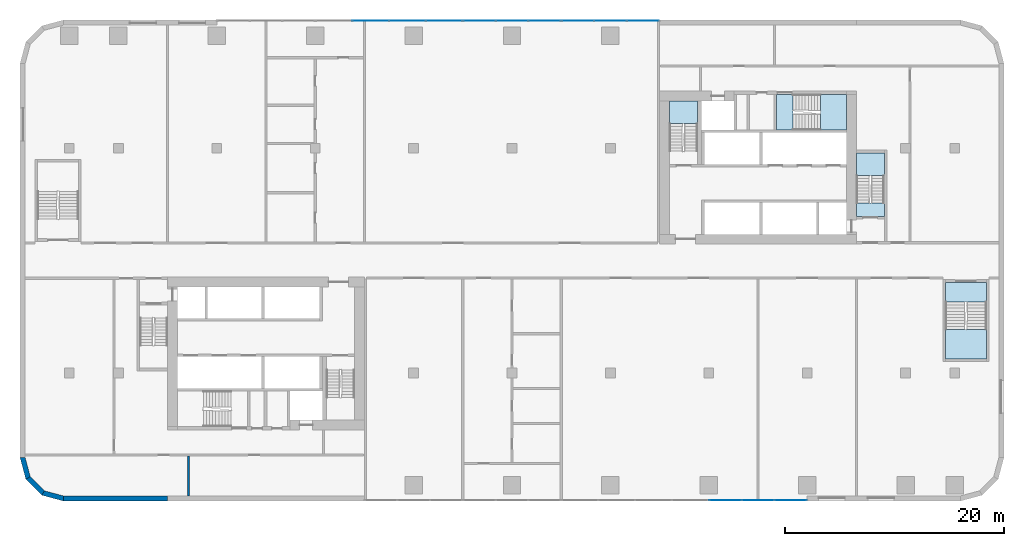
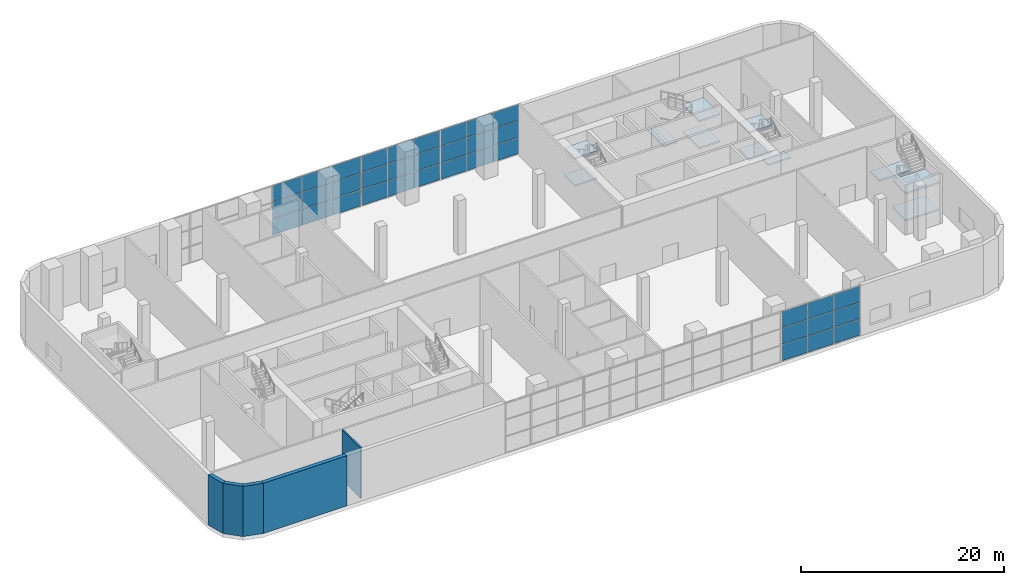
# One storey, part 7 of 24: 36 plates, 11 slabs, 5 walls, 8 elements without a shape of their own.
"""IFC4 building model written with IfcOpenShell, lengths in metres."""

from ifc_helpers import new_model, si_unit, direction, frame, frame_2d, origin, origin_2d, place, context, subcontext, project, spatial, polyline, rectangle, outline, extrude, material, layer, layer_set, type_object, element, aggregate, save


model = new_model("IFC4")

# Units and contexts
model_context = context("Model", 3, precision=1e-05, world=origin(), true_north=direction((0.0, 1.0)))
body_context = subcontext(model_context, "Body", "Model", "MODEL_VIEW")
ifc_project = project(units=[si_unit("LENGTHUNIT", "METRE"), si_unit("AREAUNIT", "SQUARE_METRE"), si_unit("VOLUMEUNIT", "CUBIC_METRE"), si_unit("PLANEANGLEUNIT", "RADIAN"), si_unit("MASSUNIT", "GRAM", prefix="KILO")], contexts=[model_context])

# Site, building, storey
site_placement = place(None, origin())
site = spatial("IfcSite", under=ifc_project, at=site_placement, CompositionType="ELEMENT")
building_placement = place(site_placement, origin())
building = spatial("IfcBuilding", under=site, at=building_placement, Name="Kajstack Hotel Tower", CompositionType="ELEMENT")
storey_placement = place(building_placement, frame((0.0, 0.0, 17.0)))
storey = spatial("IfcBuildingStorey", under=building, at=storey_placement, Name="L02", CompositionType="ELEMENT", Elevation=17.0)

# Curtain wall, plates
ifc_material_1 = material(Name="Aluminium-framed curtain wall, low-iron laminated glass", Category="aluminium")
curtain_wall_type = type_object("IfcCurtainWallType", Name="CW-DINING", PredefinedType="NOTDEFINED", material=ifc_material_1)
curtain_wall_1_placement = place(storey_placement, origin())
curtain_wall_1 = element("IfcCurtainWall", 1, at=curtain_wall_1_placement, inside=storey, type_object=curtain_wall_type, Name="Curtain wall CU2 L02-03-02-3", PredefinedType="NOTDEFINED")
ifc_material_2 = material(Name="Low-iron laminated glass", Category="glass")
ifc_layer_1 = layer(ifc_material_2, 0.030029296875)
ifc_layer_set_1 = layer_set([ifc_layer_1], Name="CW-P-DINING")
plate_type = type_object("IfcPlateType", Name="CW-P-DINING", PredefinedType="CURTAIN_PANEL", material=ifc_layer_set_1)
plate_1_placement = place(storey_placement, frame((19.514892578125, -21.925048828125, 0.06005859375), z_axis=(0.0, 0.0, 1.0), x_axis=(1.0, 0.0, 0.0)))
plate_1 = element("IfcPlate", 2, at=plate_1_placement, type_object=plate_type, Name="CU2 panel 1.1", PredefinedType="CURTAIN_PANEL", context=body_context, shape_type="SweptSolid", body=[
    extrude(rectangle(XDim=2.909912109375, YDim=0.030029296875, at=origin_2d()), origin(), (0.0, 0.0, 1.0), 1.9267578125),
])
plate_2_placement = place(storey_placement, frame((19.514892578125, -21.925048828125, 2.046630859375), z_axis=(0.0, 0.0, 1.0), x_axis=(1.0, 0.0, 0.0)))
plate_2 = element("IfcPlate", 3, at=plate_2_placement, type_object=plate_type, Name="CU2 panel 1.2", PredefinedType="CURTAIN_PANEL", context=body_context, shape_type="SweptSolid", body=[
    extrude(rectangle(XDim=2.909912109375, YDim=0.030029296875, at=origin_2d()), origin(), (0.0, 0.0, 1.0), 1.95654296875),
])
plate_3_placement = place(storey_placement, frame((19.514892578125, -21.925048828125, 4.063232421875), z_axis=(0.0, 0.0, 1.0), x_axis=(1.0, 0.0, 0.0)))
plate_3 = element("IfcPlate", 4, at=plate_3_placement, type_object=plate_type, Name="CU2 panel 1.3", PredefinedType="CURTAIN_PANEL", context=body_context, shape_type="SweptSolid", body=[
    extrude(rectangle(XDim=2.909912109375, YDim=0.030029296875, at=origin_2d()), origin(), (0.0, 0.0, 1.0), 1.9267578125),
])
plate_4_placement = place(storey_placement, frame((22.5, -21.925048828125, 0.06005859375), z_axis=(0.0, 0.0, 1.0), x_axis=(1.0, 0.0, 0.0)))
plate_4 = element("IfcPlate", 5, at=plate_4_placement, type_object=plate_type, Name="CU2 panel 2.1", PredefinedType="CURTAIN_PANEL", context=body_context, shape_type="SweptSolid", body=[
    extrude(rectangle(XDim=2.93994140625, YDim=0.030029296875, at=origin_2d()), origin(), (0.0, 0.0, 1.0), 1.9267578125),
])
plate_5_placement = place(storey_placement, frame((22.5, -21.925048828125, 2.046630859375), z_axis=(0.0, 0.0, 1.0), x_axis=(1.0, 0.0, 0.0)))
plate_5 = element("IfcPlate", 6, at=plate_5_placement, type_object=plate_type, Name="CU2 panel 2.2", PredefinedType="CURTAIN_PANEL", context=body_context, shape_type="SweptSolid", body=[
    extrude(rectangle(XDim=2.93994140625, YDim=0.030029296875, at=origin_2d()), origin(), (0.0, 0.0, 1.0), 1.95654296875),
])
plate_6_placement = place(storey_placement, frame((22.5, -21.925048828125, 4.063232421875), z_axis=(0.0, 0.0, 1.0), x_axis=(1.0, 0.0, 0.0)))
plate_6 = element("IfcPlate", 7, at=plate_6_placement, type_object=plate_type, Name="CU2 panel 2.3", PredefinedType="CURTAIN_PANEL", context=body_context, shape_type="SweptSolid", body=[
    extrude(rectangle(XDim=2.93994140625, YDim=0.030029296875, at=origin_2d()), origin(), (0.0, 0.0, 1.0), 1.9267578125),
])
plate_7_placement = place(storey_placement, frame((25.485107421875, -21.925048828125, 0.06005859375), z_axis=(0.0, 0.0, 1.0), x_axis=(1.0, 0.0, 0.0)))
plate_7 = element("IfcPlate", 8, at=plate_7_placement, type_object=plate_type, Name="CU2 panel 3.1", PredefinedType="CURTAIN_PANEL", context=body_context, shape_type="SweptSolid", body=[
    extrude(rectangle(XDim=2.909912109375, YDim=0.030029296875, at=origin_2d()), origin(), (0.0, 0.0, 1.0), 1.9267578125),
])
plate_8_placement = place(storey_placement, frame((25.485107421875, -21.925048828125, 2.046630859375), z_axis=(0.0, 0.0, 1.0), x_axis=(1.0, 0.0, 0.0)))
plate_8 = element("IfcPlate", 9, at=plate_8_placement, type_object=plate_type, Name="CU2 panel 3.2", PredefinedType="CURTAIN_PANEL", context=body_context, shape_type="SweptSolid", body=[
    extrude(rectangle(XDim=2.909912109375, YDim=0.030029296875, at=origin_2d()), origin(), (0.0, 0.0, 1.0), 1.95654296875),
])
plate_9_placement = place(storey_placement, frame((25.485107421875, -21.925048828125, 4.063232421875), z_axis=(0.0, 0.0, 1.0), x_axis=(1.0, 0.0, 0.0)))
plate_9 = element("IfcPlate", 10, at=plate_9_placement, type_object=plate_type, Name="CU2 panel 3.3", PredefinedType="CURTAIN_PANEL", context=body_context, shape_type="SweptSolid", body=[
    extrude(rectangle(XDim=2.909912109375, YDim=0.030029296875, at=origin_2d()), origin(), (0.0, 0.0, 1.0), 1.9267578125),
])
aggregate(curtain_wall_1, [plate_1, plate_2, plate_3, plate_4, plate_5, plate_6, plate_7, plate_8, plate_9])

curtain_wall_2_placement = place(storey_placement, origin())
curtain_wall_2 = element("IfcCurtainWall", 11, at=curtain_wall_2_placement, inside=storey, type_object=curtain_wall_type, Name="Curtain wall CU2 L02-11-02-0", PredefinedType="NOTDEFINED")
plate_10_placement = place(storey_placement, frame((11.985107421875, 21.925048828125, 0.06005859375), z_axis=(0.0, 0.0, 1.0), x_axis=(-1.0, 0.0, 0.0)))
plate_10 = element("IfcPlate", 12, at=plate_10_placement, type_object=plate_type, Name="CU2 panel 1.1", PredefinedType="CURTAIN_PANEL", context=body_context, shape_type="SweptSolid", body=[
    extrude(rectangle(XDim=2.909912109375, YDim=0.030029296875, at=origin_2d()), origin(), (0.0, 0.0, 1.0), 1.9267578125),
])
plate_11_placement = place(storey_placement, frame((11.985107421875, 21.925048828125, 2.046630859375), z_axis=(0.0, 0.0, 1.0), x_axis=(-1.0, 0.0, 0.0)))
plate_11 = element("IfcPlate", 13, at=plate_11_placement, type_object=plate_type, Name="CU2 panel 1.2", PredefinedType="CURTAIN_PANEL", context=body_context, shape_type="SweptSolid", body=[
    extrude(rectangle(XDim=2.909912109375, YDim=0.030029296875, at=origin_2d()), origin(), (0.0, 0.0, 1.0), 1.95654296875),
])
plate_12_placement = place(storey_placement, frame((11.985107421875, 21.925048828125, 4.063232421875), z_axis=(0.0, 0.0, 1.0), x_axis=(-1.0, 0.0, 0.0)))
plate_12 = element("IfcPlate", 14, at=plate_12_placement, type_object=plate_type, Name="CU2 panel 1.3", PredefinedType="CURTAIN_PANEL", context=body_context, shape_type="SweptSolid", body=[
    extrude(rectangle(XDim=2.909912109375, YDim=0.030029296875, at=origin_2d()), origin(), (0.0, 0.0, 1.0), 1.9267578125),
])
plate_13_placement = place(storey_placement, frame((9.0, 21.925048828125, 0.06005859375), z_axis=(0.0, 0.0, 1.0), x_axis=(-1.0, 0.0, 0.0)))
plate_13 = element("IfcPlate", 15, at=plate_13_placement, type_object=plate_type, Name="CU2 panel 2.1", PredefinedType="CURTAIN_PANEL", context=body_context, shape_type="SweptSolid", body=[
    extrude(rectangle(XDim=2.93994140625, YDim=0.030029296875, at=origin_2d()), origin(), (0.0, 0.0, 1.0), 1.9267578125),
])
plate_14_placement = place(storey_placement, frame((9.0, 21.925048828125, 2.046630859375), z_axis=(0.0, 0.0, 1.0), x_axis=(-1.0, 0.0, 0.0)))
plate_14 = element("IfcPlate", 16, at=plate_14_placement, type_object=plate_type, Name="CU2 panel 2.2", PredefinedType="CURTAIN_PANEL", context=body_context, shape_type="SweptSolid", body=[
    extrude(rectangle(XDim=2.93994140625, YDim=0.030029296875, at=origin_2d()), origin(), (0.0, 0.0, 1.0), 1.95654296875),
])
plate_15_placement = place(storey_placement, frame((9.0, 21.925048828125, 4.063232421875), z_axis=(0.0, 0.0, 1.0), x_axis=(-1.0, 0.0, 0.0)))
plate_15 = element("IfcPlate", 17, at=plate_15_placement, type_object=plate_type, Name="CU2 panel 2.3", PredefinedType="CURTAIN_PANEL", context=body_context, shape_type="SweptSolid", body=[
    extrude(rectangle(XDim=2.93994140625, YDim=0.030029296875, at=origin_2d()), origin(), (0.0, 0.0, 1.0), 1.9267578125),
])
plate_16_placement = place(storey_placement, frame((6.014892578125, 21.925048828125, 0.06005859375), z_axis=(0.0, 0.0, 1.0), x_axis=(-1.0, 0.0, 0.0)))
plate_16 = element("IfcPlate", 18, at=plate_16_placement, type_object=plate_type, Name="CU2 panel 3.1", PredefinedType="CURTAIN_PANEL", context=body_context, shape_type="SweptSolid", body=[
    extrude(rectangle(XDim=2.909912109375, YDim=0.030029296875, at=origin_2d()), origin(), (0.0, 0.0, 1.0), 1.9267578125),
])
plate_17_placement = place(storey_placement, frame((6.014892578125, 21.925048828125, 2.046630859375), z_axis=(0.0, 0.0, 1.0), x_axis=(-1.0, 0.0, 0.0)))
plate_17 = element("IfcPlate", 19, at=plate_17_placement, type_object=plate_type, Name="CU2 panel 3.2", PredefinedType="CURTAIN_PANEL", context=body_context, shape_type="SweptSolid", body=[
    extrude(rectangle(XDim=2.909912109375, YDim=0.030029296875, at=origin_2d()), origin(), (0.0, 0.0, 1.0), 1.95654296875),
])
plate_18_placement = place(storey_placement, frame((6.014892578125, 21.925048828125, 4.063232421875), z_axis=(0.0, 0.0, 1.0), x_axis=(-1.0, 0.0, 0.0)))
plate_18 = element("IfcPlate", 20, at=plate_18_placement, type_object=plate_type, Name="CU2 panel 3.3", PredefinedType="CURTAIN_PANEL", context=body_context, shape_type="SweptSolid", body=[
    extrude(rectangle(XDim=2.909912109375, YDim=0.030029296875, at=origin_2d()), origin(), (0.0, 0.0, 1.0), 1.9267578125),
])
aggregate(curtain_wall_2, [plate_10, plate_11, plate_12, plate_13, plate_14, plate_15, plate_16, plate_17, plate_18])

curtain_wall_3_placement = place(storey_placement, origin())
curtain_wall_3 = element("IfcCurtainWall", 21, at=curtain_wall_3_placement, inside=storey, type_object=curtain_wall_type, Name="Curtain wall CU2 L02-11-02-1", PredefinedType="NOTDEFINED")
plate_19_placement = place(storey_placement, frame((2.985107421875, 21.925048828125, 0.06005859375), z_axis=(0.0, 0.0, 1.0), x_axis=(-1.0, 0.0, 0.0)))
plate_19 = element("IfcPlate", 22, at=plate_19_placement, type_object=plate_type, Name="CU2 panel 1.1", PredefinedType="CURTAIN_PANEL", context=body_context, shape_type="SweptSolid", body=[
    extrude(rectangle(XDim=2.909912109375, YDim=0.030029296875, at=origin_2d()), origin(), (0.0, 0.0, 1.0), 1.9267578125),
])
plate_20_placement = place(storey_placement, frame((2.985107421875, 21.925048828125, 2.046630859375), z_axis=(0.0, 0.0, 1.0), x_axis=(-1.0, 0.0, 0.0)))
plate_20 = element("IfcPlate", 23, at=plate_20_placement, type_object=plate_type, Name="CU2 panel 1.2", PredefinedType="CURTAIN_PANEL", context=body_context, shape_type="SweptSolid", body=[
    extrude(rectangle(XDim=2.909912109375, YDim=0.030029296875, at=origin_2d()), origin(), (0.0, 0.0, 1.0), 1.95654296875),
])
plate_21_placement = place(storey_placement, frame((2.985107421875, 21.925048828125, 4.063232421875), z_axis=(0.0, 0.0, 1.0), x_axis=(-1.0, 0.0, 0.0)))
plate_21 = element("IfcPlate", 24, at=plate_21_placement, type_object=plate_type, Name="CU2 panel 1.3", PredefinedType="CURTAIN_PANEL", context=body_context, shape_type="SweptSolid", body=[
    extrude(rectangle(XDim=2.909912109375, YDim=0.030029296875, at=origin_2d()), origin(), (0.0, 0.0, 1.0), 1.9267578125),
])
plate_22_placement = place(storey_placement, frame((0.0, 21.925048828125, 0.06005859375), z_axis=(0.0, 0.0, 1.0), x_axis=(-1.0, 0.0, 0.0)))
plate_22 = element("IfcPlate", 25, at=plate_22_placement, type_object=plate_type, Name="CU2 panel 2.1", PredefinedType="CURTAIN_PANEL", context=body_context, shape_type="SweptSolid", body=[
    extrude(rectangle(XDim=2.93994140625, YDim=0.030029296875, at=origin_2d()), origin(), (0.0, 0.0, 1.0), 1.9267578125),
])
plate_23_placement = place(storey_placement, frame((0.0, 21.925048828125, 2.046630859375), z_axis=(0.0, 0.0, 1.0), x_axis=(-1.0, 0.0, 0.0)))
plate_23 = element("IfcPlate", 26, at=plate_23_placement, type_object=plate_type, Name="CU2 panel 2.2", PredefinedType="CURTAIN_PANEL", context=body_context, shape_type="SweptSolid", body=[
    extrude(rectangle(XDim=2.93994140625, YDim=0.030029296875, at=origin_2d()), origin(), (0.0, 0.0, 1.0), 1.95654296875),
])
plate_24_placement = place(storey_placement, frame((0.0, 21.925048828125, 4.063232421875), z_axis=(0.0, 0.0, 1.0), x_axis=(-1.0, 0.0, 0.0)))
plate_24 = element("IfcPlate", 27, at=plate_24_placement, type_object=plate_type, Name="CU2 panel 2.3", PredefinedType="CURTAIN_PANEL", context=body_context, shape_type="SweptSolid", body=[
    extrude(rectangle(XDim=2.93994140625, YDim=0.030029296875, at=origin_2d()), origin(), (0.0, 0.0, 1.0), 1.9267578125),
])
plate_25_placement = place(storey_placement, frame((-2.985107421875, 21.925048828125, 0.06005859375), z_axis=(0.0, 0.0, 1.0), x_axis=(-1.0, 0.0, 0.0)))
plate_25 = element("IfcPlate", 28, at=plate_25_placement, type_object=plate_type, Name="CU2 panel 3.1", PredefinedType="CURTAIN_PANEL", context=body_context, shape_type="SweptSolid", body=[
    extrude(rectangle(XDim=2.909912109375, YDim=0.030029296875, at=origin_2d()), origin(), (0.0, 0.0, 1.0), 1.9267578125),
])
plate_26_placement = place(storey_placement, frame((-2.985107421875, 21.925048828125, 2.046630859375), z_axis=(0.0, 0.0, 1.0), x_axis=(-1.0, 0.0, 0.0)))
plate_26 = element("IfcPlate", 29, at=plate_26_placement, type_object=plate_type, Name="CU2 panel 3.2", PredefinedType="CURTAIN_PANEL", context=body_context, shape_type="SweptSolid", body=[
    extrude(rectangle(XDim=2.909912109375, YDim=0.030029296875, at=origin_2d()), origin(), (0.0, 0.0, 1.0), 1.95654296875),
])
plate_27_placement = place(storey_placement, frame((-2.985107421875, 21.925048828125, 4.063232421875), z_axis=(0.0, 0.0, 1.0), x_axis=(-1.0, 0.0, 0.0)))
plate_27 = element("IfcPlate", 30, at=plate_27_placement, type_object=plate_type, Name="CU2 panel 3.3", PredefinedType="CURTAIN_PANEL", context=body_context, shape_type="SweptSolid", body=[
    extrude(rectangle(XDim=2.909912109375, YDim=0.030029296875, at=origin_2d()), origin(), (0.0, 0.0, 1.0), 1.9267578125),
])
aggregate(curtain_wall_3, [plate_19, plate_20, plate_21, plate_22, plate_23, plate_24, plate_25, plate_26, plate_27])

curtain_wall_4_placement = place(storey_placement, origin())
curtain_wall_4 = element("IfcCurtainWall", 31, at=curtain_wall_4_placement, inside=storey, type_object=curtain_wall_type, Name="Curtain wall CU2 L02-11-02-2", PredefinedType="NOTDEFINED")
plate_28_placement = place(storey_placement, frame((-6.202392578125, 21.925048828125, 0.06005859375), z_axis=(0.0, 0.0, 1.0), x_axis=(-1.0, 0.0, 0.0)))
plate_28 = element("IfcPlate", 32, at=plate_28_placement, type_object=plate_type, Name="CU2 panel 1.1", PredefinedType="CURTAIN_PANEL", context=body_context, shape_type="SweptSolid", body=[
    extrude(rectangle(XDim=3.284912109375, YDim=0.030029296875, at=origin_2d()), origin(), (0.0, 0.0, 1.0), 1.9267578125),
])
plate_29_placement = place(storey_placement, frame((-6.202392578125, 21.925048828125, 2.046630859375), z_axis=(0.0, 0.0, 1.0), x_axis=(-1.0, 0.0, 0.0)))
plate_29 = element("IfcPlate", 33, at=plate_29_placement, type_object=plate_type, Name="CU2 panel 1.2", PredefinedType="CURTAIN_PANEL", context=body_context, shape_type="SweptSolid", body=[
    extrude(rectangle(XDim=3.284912109375, YDim=0.030029296875, at=origin_2d()), origin(), (0.0, 0.0, 1.0), 1.95654296875),
])
plate_30_placement = place(storey_placement, frame((-6.202392578125, 21.925048828125, 4.063232421875), z_axis=(0.0, 0.0, 1.0), x_axis=(-1.0, 0.0, 0.0)))
plate_30 = element("IfcPlate", 34, at=plate_30_placement, type_object=plate_type, Name="CU2 panel 1.3", PredefinedType="CURTAIN_PANEL", context=body_context, shape_type="SweptSolid", body=[
    extrude(rectangle(XDim=3.284912109375, YDim=0.030029296875, at=origin_2d()), origin(), (0.0, 0.0, 1.0), 1.9267578125),
])
plate_31_placement = place(storey_placement, frame((-9.5625, 21.925048828125, 0.06005859375), z_axis=(0.0, 0.0, 1.0), x_axis=(-1.0, 0.0, 0.0)))
plate_31 = element("IfcPlate", 35, at=plate_31_placement, type_object=plate_type, Name="CU2 panel 2.1", PredefinedType="CURTAIN_PANEL", context=body_context, shape_type="SweptSolid", body=[
    extrude(rectangle(XDim=3.31494140625, YDim=0.030029296875, at=origin_2d()), origin(), (0.0, 0.0, 1.0), 1.9267578125),
])
plate_32_placement = place(storey_placement, frame((-9.5625, 21.925048828125, 2.046630859375), z_axis=(0.0, 0.0, 1.0), x_axis=(-1.0, 0.0, 0.0)))
plate_32 = element("IfcPlate", 36, at=plate_32_placement, type_object=plate_type, Name="CU2 panel 2.2", PredefinedType="CURTAIN_PANEL", context=body_context, shape_type="SweptSolid", body=[
    extrude(rectangle(XDim=3.31494140625, YDim=0.030029296875, at=origin_2d()), origin(), (0.0, 0.0, 1.0), 1.95654296875),
])
plate_33_placement = place(storey_placement, frame((-9.5625, 21.925048828125, 4.063232421875), z_axis=(0.0, 0.0, 1.0), x_axis=(-1.0, 0.0, 0.0)))
plate_33 = element("IfcPlate", 37, at=plate_33_placement, type_object=plate_type, Name="CU2 panel 2.3", PredefinedType="CURTAIN_PANEL", context=body_context, shape_type="SweptSolid", body=[
    extrude(rectangle(XDim=3.31494140625, YDim=0.030029296875, at=origin_2d()), origin(), (0.0, 0.0, 1.0), 1.9267578125),
])
plate_34_placement = place(storey_placement, frame((-12.9375, 21.925048828125, 0.06005859375), z_axis=(0.0, 0.0, 1.0), x_axis=(-1.0, 0.0, 0.0)))
plate_34 = element("IfcPlate", 38, at=plate_34_placement, type_object=plate_type, Name="CU2 panel 3.1", PredefinedType="CURTAIN_PANEL", context=body_context, shape_type="SweptSolid", body=[
    extrude(rectangle(XDim=3.31494140625, YDim=0.030029296875, at=origin_2d()), origin(), (0.0, 0.0, 1.0), 1.9267578125),
])
plate_35_placement = place(storey_placement, frame((-12.9375, 21.925048828125, 2.046630859375), z_axis=(0.0, 0.0, 1.0), x_axis=(-1.0, 0.0, 0.0)))
plate_35 = element("IfcPlate", 39, at=plate_35_placement, type_object=plate_type, Name="CU2 panel 3.2", PredefinedType="CURTAIN_PANEL", context=body_context, shape_type="SweptSolid", body=[
    extrude(rectangle(XDim=3.31494140625, YDim=0.030029296875, at=origin_2d()), origin(), (0.0, 0.0, 1.0), 1.95654296875),
])
plate_36_placement = place(storey_placement, frame((-12.9375, 21.925048828125, 4.063232421875), z_axis=(0.0, 0.0, 1.0), x_axis=(-1.0, 0.0, 0.0)))
plate_36 = element("IfcPlate", 40, at=plate_36_placement, type_object=plate_type, Name="CU2 panel 3.3", PredefinedType="CURTAIN_PANEL", context=body_context, shape_type="SweptSolid", body=[
    extrude(rectangle(XDim=3.31494140625, YDim=0.030029296875, at=origin_2d()), origin(), (0.0, 0.0, 1.0), 1.9267578125),
])
aggregate(curtain_wall_4, [plate_28, plate_29, plate_30, plate_31, plate_32, plate_33, plate_34, plate_35, plate_36])

# Stair, slabs
ifc_material_3 = material(Name="Concrete C40/50", Category="concrete")
stair_type_1 = type_object("IfcStairType", Name="Exit stair 1200", PredefinedType="HALF_TURN_STAIR", material=ifc_material_3)
stair_1_placement = place(storey_placement, origin())
stair_1 = element("IfcStair", 41, at=stair_1_placement, inside=storey, type_object=stair_type_1, Name="L02 stair E1", PredefinedType="HALF_TURN_STAIR")
ifc_layer_2 = layer(ifc_material_3, 0.199951171875)
ifc_layer_set_2 = layer_set([ifc_layer_2], Name="Stair landing 200")
slab_type = type_object("IfcSlabType", Name="Stair landing 200", PredefinedType="LANDING", material=ifc_layer_set_2)
slab_1_placement = place(storey_placement, frame((0.0, 0.0, 1.425048828125)))
slab_1 = element("IfcSlab", 42, at=slab_1_placement, type_object=slab_type, Name="E1 landing 1", PredefinedType="LANDING", context=body_context, shape_type="SweptSolid", body=[
    extrude(outline(polyline([(34.050048828125, 7.77001953125), (34.050048828125, 9.85009765625), (31.5, 9.85009765625), (31.5, 7.77001953125), (34.050048828125, 7.77001953125)])), origin(), (0.0, 0.0, 1.0), 0.199951171875),
])
slab_2_placement = place(storey_placement, frame((0.0, 0.0, 3.050048828125)))
slab_2 = element("IfcSlab", 43, at=slab_2_placement, type_object=slab_type, Name="E1 landing 2", PredefinedType="LANDING", context=body_context, shape_type="SweptSolid", body=[
    extrude(outline(polyline([(34.050048828125, 4.050048828125), (34.050048828125, 5.25), (31.5, 5.25), (31.5, 4.050048828125), (34.050048828125, 4.050048828125)])), origin(), (0.0, 0.0, 1.0), 0.199951171875),
])
slab_3_placement = place(storey_placement, frame((0.0, 0.0, 4.675048828125)))
slab_3 = element("IfcSlab", 44, at=slab_3_placement, type_object=slab_type, Name="E1 landing 3", PredefinedType="LANDING", context=body_context, shape_type="SweptSolid", body=[
    extrude(outline(polyline([(34.050048828125, 7.77001953125), (34.050048828125, 9.85009765625), (31.5, 9.85009765625), (31.5, 7.77001953125), (34.050048828125, 7.77001953125)])), origin(), (0.0, 0.0, 1.0), 0.199951171875),
])
aggregate(stair_1, [slab_1, slab_2, slab_3])

stair_2_placement = place(storey_placement, origin())
stair_2 = element("IfcStair", 45, at=stair_2_placement, inside=storey, type_object=stair_type_1, Name="L02 stair E2", PredefinedType="HALF_TURN_STAIR")
slab_4_placement = place(storey_placement, frame((0.0, 0.0, 1.425048828125)))
slab_4 = element("IfcSlab", 46, at=slab_4_placement, type_object=slab_type, Name="E2 landing 1", PredefinedType="LANDING", context=body_context, shape_type="SweptSolid", body=[
    extrude(outline(polyline([(16.949951171875, 12.52001953125), (16.949951171875, 14.60009765625), (14.39990234375, 14.60009765625), (14.39990234375, 12.52001953125), (16.949951171875, 12.52001953125)])), origin(), (0.0, 0.0, 1.0), 0.199951171875),
])
slab_5_placement = place(storey_placement, frame((0.0, 0.0, 4.675048828125)))
slab_5 = element("IfcSlab", 47, at=slab_5_placement, type_object=slab_type, Name="E2 landing 3", PredefinedType="LANDING", context=body_context, shape_type="SweptSolid", body=[
    extrude(outline(polyline([(16.949951171875, 12.52001953125), (16.949951171875, 14.60009765625), (14.39990234375, 14.60009765625), (14.39990234375, 12.52001953125), (16.949951171875, 12.52001953125)])), origin(), (0.0, 0.0, 1.0), 0.199951171875),
])
aggregate(stair_2, [slab_4, slab_5])

stair_type_2 = type_object("IfcStairType", Name="Exit stair 1500", PredefinedType="HALF_TURN_STAIR", material=ifc_material_3)
stair_3_placement = place(storey_placement, origin())
stair_3 = element("IfcStair", 48, at=stair_3_placement, inside=storey, type_object=stair_type_2, Name="L02 stair E3", PredefinedType="HALF_TURN_STAIR")
slab_6_placement = place(storey_placement, frame((0.0, 0.0, 1.425048828125)))
slab_6 = element("IfcSlab", 49, at=slab_6_placement, type_object=slab_type, Name="E3 landing 1", PredefinedType="LANDING", context=body_context, shape_type="SweptSolid", body=[
    extrude(outline(polyline([(28.219970703125, 11.949951171875), (30.60009765625, 11.949951171875), (30.60009765625, 15.199951171875), (28.219970703125, 15.199951171875), (28.219970703125, 11.949951171875)])), origin(), (0.0, 0.0, 1.0), 0.199951171875),
])
slab_7_placement = place(storey_placement, frame((0.0, 0.0, 3.050048828125)))
slab_7 = element("IfcSlab", 50, at=slab_7_placement, type_object=slab_type, Name="E3 landing 2", PredefinedType="LANDING", context=body_context, shape_type="SweptSolid", body=[
    extrude(outline(polyline([(24.199951171875, 11.949951171875), (25.699951171875, 11.949951171875), (25.699951171875, 15.199951171875), (24.199951171875, 15.199951171875), (24.199951171875, 11.949951171875)])), origin(), (0.0, 0.0, 1.0), 0.199951171875),
])
slab_8_placement = place(storey_placement, frame((0.0, 0.0, 4.675048828125)))
slab_8 = element("IfcSlab", 51, at=slab_8_placement, type_object=slab_type, Name="E3 landing 3", PredefinedType="LANDING", context=body_context, shape_type="SweptSolid", body=[
    extrude(outline(polyline([(28.219970703125, 11.949951171875), (30.60009765625, 11.949951171875), (30.60009765625, 15.199951171875), (28.219970703125, 15.199951171875), (28.219970703125, 11.949951171875)])), origin(), (0.0, 0.0, 1.0), 0.199951171875),
])
aggregate(stair_3, [slab_6, slab_7, slab_8])

stair_type_3 = type_object("IfcStairType", Name="Escape stair 1800", PredefinedType="HALF_TURN_STAIR", material=ifc_material_3)
stair_4_placement = place(storey_placement, origin())
stair_4 = element("IfcStair", 52, at=stair_4_placement, inside=storey, type_object=stair_type_3, Name="L02 stair P2", PredefinedType="HALF_TURN_STAIR")
slab_9_placement = place(storey_placement, frame((0.0, 0.0, 1.425048828125)))
slab_9 = element("IfcSlab", 53, at=slab_9_placement, type_object=slab_type, Name="P2 landing 1", PredefinedType="LANDING", context=body_context, shape_type="SweptSolid", body=[
    extrude(outline(polyline([(39.64990234375, -6.320068359375), (39.64990234375, -9.0), (43.39990234375, -9.0), (43.39990234375, -6.320068359375), (39.64990234375, -6.320068359375)])), origin(), (0.0, 0.0, 1.0), 0.199951171875),
])
slab_10_placement = place(storey_placement, frame((0.0, 0.0, 3.050048828125)))
slab_10 = element("IfcSlab", 54, at=slab_10_placement, type_object=slab_type, Name="P2 landing 2", PredefinedType="LANDING", context=body_context, shape_type="SweptSolid", body=[
    extrude(outline(polyline([(39.64990234375, -2.0), (39.64990234375, -3.800048828125), (43.39990234375, -3.800048828125), (43.39990234375, -2.0), (39.64990234375, -2.0)])), origin(), (0.0, 0.0, 1.0), 0.199951171875),
])
slab_11_placement = place(storey_placement, frame((0.0, 0.0, 4.675048828125)))
slab_11 = element("IfcSlab", 55, at=slab_11_placement, type_object=slab_type, Name="P2 landing 3", PredefinedType="LANDING", context=body_context, shape_type="SweptSolid", body=[
    extrude(outline(polyline([(39.64990234375, -6.320068359375), (39.64990234375, -9.0), (43.39990234375, -9.0), (43.39990234375, -6.320068359375), (39.64990234375, -6.320068359375)])), origin(), (0.0, 0.0, 1.0), 0.199951171875),
])
aggregate(stair_4, [slab_9, slab_10, slab_11])

# Walls
ifc_material_4 = material(Name="Terracotta-faced brick masonry", Category="masonry")
ifc_layer_3 = layer(ifc_material_4, 0.449951171875)
ifc_layer_set_3 = layer_set([ifc_layer_3], Name="EW-TERRA")
wall_type_1 = type_object("IfcWallType", Name="EW-TERRA", PredefinedType="SOLIDWALL", material=ifc_layer_set_3)
wall_1_placement = place(storey_placement, frame((-44.78271484375, -17.941650390625, 0.0), z_axis=(0.0, 0.0, 1.0), x_axis=(0.25881466832, -0.965926999034, 0.0)))
element("IfcWall", 56, at=wall_1_placement, inside=storey, type_object=wall_type_1, Name="E-wall-L02-00-00", PredefinedType="SOLIDWALL", context=body_context, shape_type="SweptSolid", body=[
    extrude(outline(polyline([(0.000244140625, -0.22509765625), (2.070556640625, -0.224853515625), (1.9501953125, 0.22509765625), (0.12060546875, 0.22509765625), (0.000244140625, -0.22509765625)])), origin(), (0.0, 0.0, 1.0), 6.050048828125),
])
wall_2_placement = place(storey_placement, frame((-44.304931640625, -19.8408203125, 0.0), z_axis=(0.0, 0.0, 1.0), x_axis=(0.707106781187, -0.707106781187, 0.0)))
element("IfcWall", 57, at=wall_2_placement, inside=storey, type_object=wall_type_1, Name="E-wall-L02-01-00", PredefinedType="SOLIDWALL", context=body_context, shape_type="SweptSolid", body=[
    extrude(outline(polyline([(0.0, -0.22509765625), (2.070556640625, -0.22509765625), (1.949951171875, 0.224853515625), (0.12060546875, 0.224853515625), (0.0, -0.22509765625)])), origin(), (0.0, 0.0, 1.0), 6.050048828125),
])
wall_3_placement = place(storey_placement, frame((-42.941650390625, -21.246826171875, 0.0), z_axis=(0.0, 0.0, 1.0), x_axis=(0.965926999034, -0.25881466832, 0.0)))
element("IfcWall", 58, at=wall_3_placement, inside=storey, type_object=wall_type_1, Name="E-wall-L02-02-00", PredefinedType="SOLIDWALL", context=body_context, shape_type="SweptSolid", body=[
    extrude(outline(polyline([(-0.000244140625, -0.224853515625), (2.0703125, -0.22509765625), (1.949951171875, 0.22509765625), (0.120361328125, 0.22509765625), (-0.000244140625, -0.224853515625)])), origin(), (0.0, 0.0, 1.0), 6.050048828125),
])
wall_4_placement = place(storey_placement, frame((-41.0, -21.77490234375, 0.0), z_axis=(0.0, 0.0, 1.0), x_axis=(1.0, 0.0, 0.0)))
element("IfcWall", 59, at=wall_4_placement, inside=storey, type_object=wall_type_1, Name="E-wall-L02-03-00", PredefinedType="SOLIDWALL", context=body_context, shape_type="SweptSolid", body=[
    extrude(rectangle(XDim=9.5, YDim=0.449951171875, at=frame_2d((4.75, 0.0))), origin(), (0.0, 0.0, 1.0), 6.050048828125),
])
ifc_material_5 = material(Name="Gypsum board on steel studs, mineral wool", Category="steel")
ifc_layer_4 = layer(ifc_material_5, 0.199951171875)
ifc_layer_set_4 = layer_set([ifc_layer_4], Name="Service partition 200")
wall_type_2 = type_object("IfcWallType", Name="Service partition 200", PredefinedType="PARTITIONING", material=ifc_layer_set_4)
wall_5_placement = place(storey_placement, frame((-29.60009765625, -21.550048828125, 0.0), z_axis=(0.0, 0.0, 1.0), x_axis=(0.0, 1.0, 0.0)))
element("IfcWall", 60, at=wall_5_placement, inside=storey, type_object=wall_type_2, Name="Partition W SLP0", PredefinedType="PARTITIONING", context=body_context, shape_type="SweptSolid", body=[
    extrude(rectangle(XDim=3.650146484375, YDim=0.199951171875, at=frame_2d((1.8251953125, 0.0))), origin(), (0.0, 0.0, 1.0), 6.050048828125),
])

save(model, "model.ifc")
